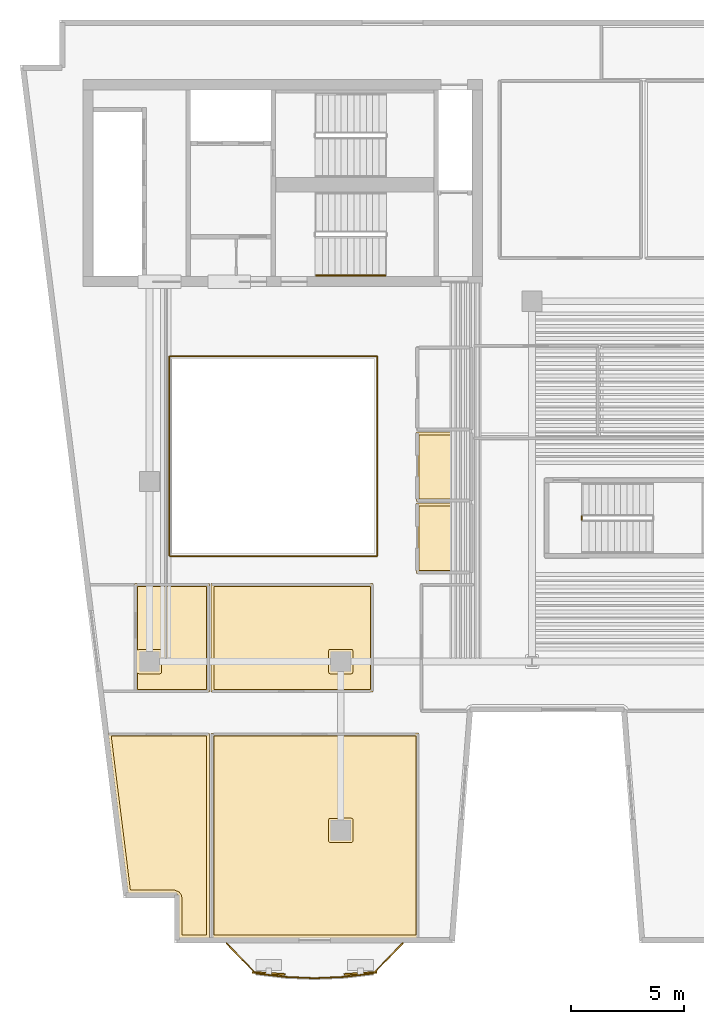
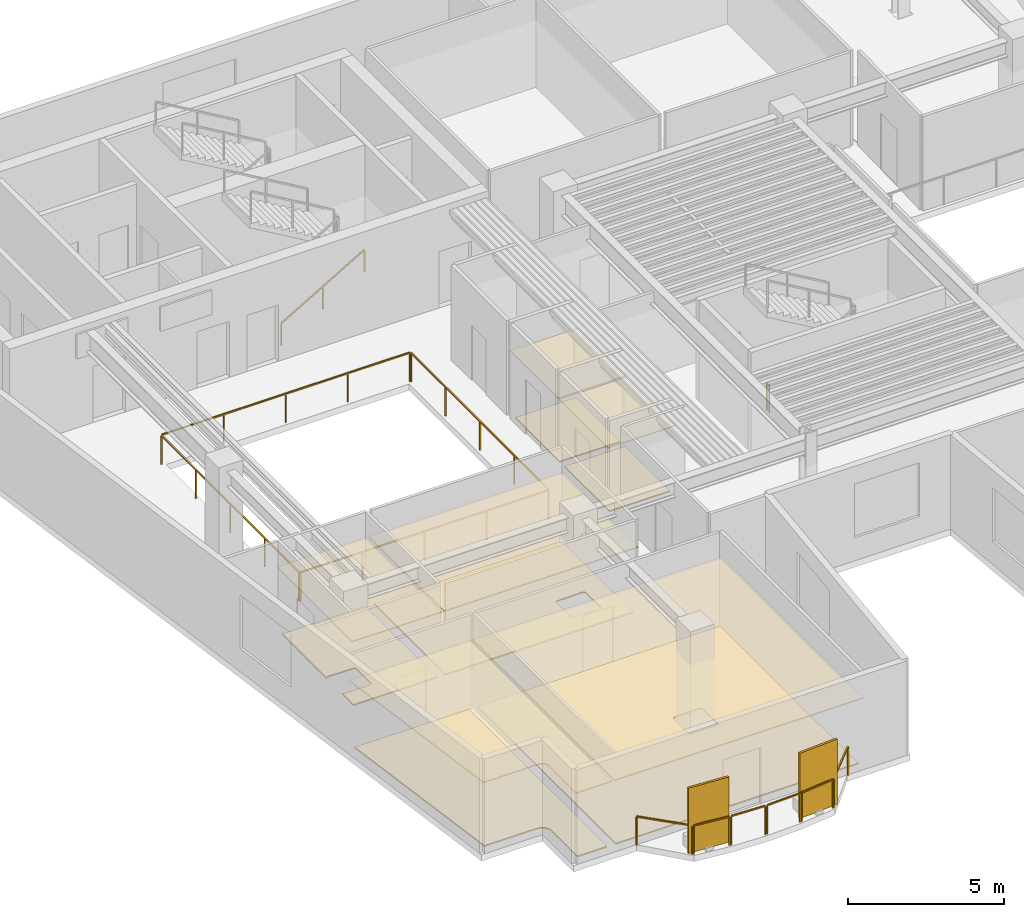
# One storey, part 7 of 9: 12 coverings, 12 railings, 2 shading devices.
"""IFC4 building model written with IfcOpenShell, lengths in metres."""

from ifc_helpers import new_model, si_unit, direction, frame, origin, origin_2d, place, context, subcontext, project, spatial, polyline, rectangle, outline, extrude, material, layer, layer_set, type_object, element, save


model = new_model("IFC4")

# Units and contexts
model_context = context("Model", 3, precision=1e-05, world=origin(), true_north=direction((0.0, 1.0)))
body_context = subcontext(model_context, "Body", "Model", "MODEL_VIEW")
ifc_project = project(units=[si_unit("LENGTHUNIT", "METRE"), si_unit("AREAUNIT", "SQUARE_METRE"), si_unit("VOLUMEUNIT", "CUBIC_METRE"), si_unit("PLANEANGLEUNIT", "RADIAN"), si_unit("MASSUNIT", "GRAM", prefix="KILO")], contexts=[model_context])

# Site, building, storey
site_placement = place(None, origin())
site = spatial("IfcSite", under=ifc_project, at=site_placement, CompositionType="ELEMENT")
building_placement = place(site_placement, origin())
building = spatial("IfcBuilding", under=site, at=building_placement, Name="Caeloran Harvest Quay", CompositionType="ELEMENT")
storey_placement = place(building_placement, frame((0.0, 0.0, 215.35009765625)))
storey = spatial("IfcBuildingStorey", under=building, at=storey_placement, Name="L51", CompositionType="ELEMENT", Elevation=215.35009765625)

# Coverings
ifc_material_1 = material(Name="Perforated Mineral-Fibre Acoustic Ceiling Tile", Category="ceiling")
ifc_layer_1 = layer(ifc_material_1, 0.0400390625, Name="Perforated Mineral-Fibre Acoustic Ceiling Tile")
ifc_layer_set_1 = layer_set([ifc_layer_1], Name="Perforated Mineral-Fibre Acoustic Ceiling Tile")
covering_type_1 = type_object("IfcCoveringType", Name="COV-CEILING-ACOUSTIC", PredefinedType="CEILING", material=ifc_layer_set_1)
covering_1_placement = place(storey_placement, frame((0.0, 0.0, 2.599853515625)))
element("IfcCovering", 1, at=covering_1_placement, inside=storey, type_object=covering_type_1, Name="L51 Female Washroom WC Acoustic Ceiling", PredefinedType="CEILING", context=body_context, shape_type="SweptSolid", body=[
    extrude(outline(polyline([(22.840087890625, 25.18994140625), (22.840087890625, 22.110107421875), (20.360107421875, 22.110107421875), (20.360107421875, 25.18994140625), (22.840087890625, 25.18994140625)])), origin(), (0.0, 0.0, 1.0), 0.0400390625),
])
covering_2_placement = place(storey_placement, frame((0.0, 0.0, 2.599853515625)))
element("IfcCovering", 2, at=covering_2_placement, inside=storey, type_object=covering_type_1, Name="L51 Accessible Unisex Washroom WC Acoustic Ceiling", PredefinedType="CEILING", context=body_context, shape_type="SweptSolid", body=[
    extrude(outline(polyline([(22.840087890625, 22.0400390625), (22.840087890625, 18.919921875), (20.360107421875, 18.919921875), (20.360107421875, 22.0400390625), (22.840087890625, 22.0400390625)])), origin(), (0.0, 0.0, 1.0), 0.0400390625),
])
covering_3_placement = place(storey_placement, frame((0.0, 0.0, 2.599853515625)))
element("IfcCovering", 3, at=covering_3_placement, inside=storey, type_object=covering_type_1, Name="Food-Security Culinary Kitchen Acoustic Ceiling", PredefinedType="CEILING", context=body_context, shape_type="SweptSolid", body=[
    extrude(outline(polyline([(11.239990234375, 11.81005859375), (20.31298828125, 11.81005859375), (20.320068359375, 11.830078125), (20.4599609375, 11.830078125), (20.4599609375, 2.719970703125), (11.239990234375, 2.719970703125), (11.239990234375, 11.81005859375)])), origin(), (0.0, 0.0, 1.0), 0.0400390625),
])
covering_4_placement = place(storey_placement, frame((0.0, 0.0, 2.599853515625)))
element("IfcCovering", 4, at=covering_4_placement, inside=storey, type_object=covering_type_1, Name="Policy Seminar Meeting Hall Acoustic Ceiling", PredefinedType="CEILING", context=body_context, shape_type="SweptSolid", body=[
    extrude(outline(polyline([(9.80615234375, 4.584228515625), (9.742431640625, 4.669921875), (9.62451171875, 4.718994140625), (7.54833984375, 4.719970703125), (6.666015625, 11.81005859375), (11.159912109375, 11.81005859375), (11.159912109375, 2.719970703125), (9.822998046875, 2.719970703125), (9.822998046875, 4.4990234375), (9.80615234375, 4.584228515625)])), origin(), (0.0, 0.0, 1.0), 0.0400390625),
])
covering_5_placement = place(storey_placement, frame((0.0, 0.0, 2.599853515625)))
element("IfcCovering", 5, at=covering_5_placement, inside=storey, type_object=covering_type_1, Name="Econometric Wet Laboratory Acoustic Ceiling", PredefinedType="CEILING", context=body_context, shape_type="SweptSolid", body=[
    extrude(outline(polyline([(7.840087890625, 13.639892578125), (7.840087890625, 18.4599609375), (11.159912109375, 18.4599609375), (11.159912109375, 13.639892578125), (7.840087890625, 13.639892578125)])), origin(), (0.0, 0.0, 1.0), 0.0400390625),
])
covering_6_placement = place(storey_placement, frame((0.0, 0.0, 2.599853515625)))
element("IfcCovering", 6, at=covering_6_placement, inside=storey, type_object=covering_type_1, Name="Fellows Tasting Kitchen Acoustic Ceiling", PredefinedType="CEILING", context=body_context, shape_type="SweptSolid", body=[
    extrude(outline(polyline([(18.429931640625, 13.639892578125), (11.239990234375, 13.639892578125), (11.239990234375, 18.4599609375), (18.429931640625, 18.4599609375), (18.429931640625, 13.639892578125)])), origin(), (0.0, 0.0, 1.0), 0.0400390625),
])
ifc_material_2 = material(Name="Calcium-Sulphate Raised Access Floor and Terrazzo Finish", Category="flooring")
ifc_layer_2 = layer(ifc_material_2, 0.050048828125, Name="Calcium-Sulphate Raised Access Floor and Terrazzo Finish")
ifc_layer_set_2 = layer_set([ifc_layer_2], Name="Calcium-Sulphate Raised Access Floor and Terrazzo Finish")
covering_type_2 = type_object("IfcCoveringType", Name="COV-FLOOR-RAISED", PredefinedType="FLOORING", material=ifc_layer_set_2)
covering_7_placement = place(storey_placement, origin())
element("IfcCovering", 7, at=covering_7_placement, inside=storey, type_object=covering_type_2, Name="L51 Female Washroom WC Raised Finish Flooring", PredefinedType="FLOORING", context=body_context, shape_type="SweptSolid", body=[
    extrude(outline(polyline([(22.719970703125, 25.070068359375), (22.719970703125, 22.22998046875), (20.47998046875, 22.22998046875), (20.47998046875, 25.070068359375), (22.719970703125, 25.070068359375)])), origin(), (0.0, 0.0, 1.0), 0.0498046875),
])
covering_8_placement = place(storey_placement, origin())
element("IfcCovering", 8, at=covering_8_placement, inside=storey, type_object=covering_type_2, Name="L51 Accessible Unisex Washroom WC Raised Finish Flooring", PredefinedType="FLOORING", context=body_context, shape_type="SweptSolid", body=[
    extrude(outline(polyline([(22.719970703125, 21.919921875), (22.719970703125, 19.0400390625), (20.47998046875, 19.0400390625), (20.47998046875, 21.919921875), (22.719970703125, 21.919921875)])), origin(), (0.0, 0.0, 1.0), 0.0498046875),
])
covering_9_placement = place(storey_placement, origin())
element("IfcCovering", 9, at=covering_9_placement, inside=storey, type_object=covering_type_2, Name="Food-Security Culinary Kitchen Raised Finish Flooring", PredefinedType="FLOORING", context=body_context, shape_type="SweptSolid", body=[
    extrude(outline(polyline([(11.360107421875, 2.840087890625), (11.360107421875, 11.68994140625), (20.340087890625, 11.69189453125), (20.340087890625, 2.840087890625), (11.360107421875, 2.840087890625)]), holes=[polyline([(17.465087890625, 8.044921875), (16.484130859375, 8.02685546875), (16.455322265625, 7.972900390625), (16.455078125, 7.034912109375), (16.478515625, 6.978515625), (16.534912109375, 6.955078125), (17.465087890625, 6.955078125), (17.521484375, 6.978515625), (17.544921875, 7.034912109375), (17.544921875, 7.965087890625), (17.521484375, 8.021484375), (17.465087890625, 8.044921875)])]), origin(), (0.0, 0.0, 1.0), 0.0498046875),
])
covering_10_placement = place(storey_placement, origin())
element("IfcCovering", 10, at=covering_10_placement, inside=storey, type_object=covering_type_2, Name="Policy Seminar Meeting Hall Raised Finish Flooring", PredefinedType="FLOORING", context=body_context, shape_type="SweptSolid", body=[
    extrude(outline(polyline([(9.91845703125, 4.62646484375), (9.815673828125, 4.76513671875), (9.63232421875, 4.838623046875), (7.654296875, 4.840087890625), (6.8017578125, 11.68994140625), (11.0400390625, 11.68994140625), (11.0400390625, 2.840087890625), (9.943115234375, 2.840087890625), (9.943115234375, 4.5), (9.91845703125, 4.62646484375)])), origin(), (0.0, 0.0, 1.0), 0.0498046875),
])
covering_11_placement = place(storey_placement, origin())
element("IfcCovering", 11, at=covering_11_placement, inside=storey, type_object=covering_type_2, Name="Econometric Wet Laboratory Raised Finish Flooring", PredefinedType="FLOORING", context=body_context, shape_type="SweptSolid", body=[
    extrude(outline(polyline([(7.9599609375, 14.50732421875), (8.027099609375, 14.455322265625), (8.965087890625, 14.455078125), (9.021484375, 14.478515625), (9.044921875, 14.534912109375), (9.044921875, 15.465087890625), (9.015869140625, 15.52685546875), (8.034912109375, 15.544921875), (7.9599609375, 15.49267578125), (7.9599609375, 18.340087890625), (11.0400390625, 18.340087890625), (11.0400390625, 13.760009765625), (7.9599609375, 13.760009765625), (7.9599609375, 14.50732421875)])), origin(), (0.0, 0.0, 1.0), 0.0498046875),
])
covering_12_placement = place(storey_placement, origin())
element("IfcCovering", 12, at=covering_12_placement, inside=storey, type_object=covering_type_2, Name="Fellows Tasting Kitchen Raised Finish Flooring", PredefinedType="FLOORING", context=body_context, shape_type="SweptSolid", body=[
    extrude(outline(polyline([(18.31005859375, 18.340087890625), (18.31005859375, 13.760009765625), (11.360107421875, 13.760009765625), (11.360107421875, 18.340087890625), (18.31005859375, 18.340087890625)]), holes=[polyline([(17.465087890625, 15.544921875), (16.484130859375, 15.52685546875), (16.455322265625, 15.472900390625), (16.455078125, 14.534912109375), (16.478515625, 14.478515625), (16.534912109375, 14.455078125), (17.465087890625, 14.455078125), (17.521484375, 14.478515625), (17.544921875, 14.534912109375), (17.544921875, 15.465087890625), (17.521484375, 15.521484375), (17.465087890625, 15.544921875)])]), origin(), (0.0, 0.0, 1.0), 0.0498046875),
])

# Railings
ifc_material_3 = material(Name="Powder-Coated Steel Post and Laminated Glass Guardrail", Category="steel")
ifc_layer_3 = layer(ifc_material_3, 0.06005859375, Name="Powder-Coated Steel Post and Laminated Glass Guardrail")
ifc_layer_set_3 = layer_set([ifc_layer_3], Name="Powder-Coated Steel Post and Laminated Glass Guardrail")
railing_type_1 = type_object("IfcRailingType", Name="GUARD-ATRIUM-1150", PredefinedType="GUARDRAIL", material=ifc_layer_set_3)
railing_1_placement = place(storey_placement, frame((9.412109375, 19.679931640625, 0.0)))
element("IfcRailing", 13, at=railing_1_placement, inside=storey, type_object=railing_type_1, Name="L51 Skylit Atrium Void Perimeter Guardrail Seg 1", PredefinedType="GUARDRAIL", context=body_context, shape_type="SweptSolid", body=[
    extrude(rectangle(XDim=0.048095703125, YDim=0.048095703125, at=origin_2d()), frame((0.0, 0.0, 1.1259765625), z_axis=(1.0, 0.0, 0.0), x_axis=(0.0, 1.0, 0.0)), (0.0, 0.0, 1.0), 9.17578125),
    extrude(rectangle(XDim=0.0419921875, YDim=0.0419921875, at=origin_2d()), origin(), (0.0, 0.0, 1.0), 1.101806640625),
    extrude(rectangle(XDim=0.0419921875, YDim=0.0419921875, at=origin_2d()), frame((2.2939453125, 0.0, 0.0)), (0.0, 0.0, 1.0), 1.101806640625),
    extrude(rectangle(XDim=0.0419921875, YDim=0.0419921875, at=origin_2d()), frame((4.587890625, 0.0, 0.0)), (0.0, 0.0, 1.0), 1.101806640625),
    extrude(rectangle(XDim=0.0419921875, YDim=0.0419921875, at=origin_2d()), frame((6.8818359375, 0.0, 0.0)), (0.0, 0.0, 1.0), 1.101806640625),
    extrude(rectangle(XDim=0.0419921875, YDim=0.0419921875, at=origin_2d()), frame((9.17578125, 0.0, 0.0)), (0.0, 0.0, 1.0), 1.101806640625),
])
railing_2_placement = place(storey_placement, frame((18.6201171875, 19.7119140625, 0.0)))
element("IfcRailing", 14, at=railing_2_placement, inside=storey, type_object=railing_type_1, Name="L51 Skylit Atrium Void Perimeter Guardrail Seg 2", PredefinedType="GUARDRAIL", context=body_context, shape_type="SweptSolid", body=[
    extrude(rectangle(XDim=0.048095703125, YDim=0.048095703125, at=origin_2d()), frame((0.0, 0.0, 1.1259765625), z_axis=(0.0, 1.0, 0.0), x_axis=(-1.0, 0.0, 0.0)), (0.0, 0.0, 1.0), 8.826171875),
    extrude(rectangle(XDim=0.0419921875, YDim=0.0419921875, at=origin_2d()), origin(), (0.0, 0.0, 1.0), 1.101806640625),
    extrude(rectangle(XDim=0.0419921875, YDim=0.0419921875, at=origin_2d()), frame((0.0, 2.20654296875, 0.0)), (0.0, 0.0, 1.0), 1.101806640625),
    extrude(rectangle(XDim=0.0419921875, YDim=0.0419921875, at=origin_2d()), frame((0.0, 4.4130859375, 0.0)), (0.0, 0.0, 1.0), 1.101806640625),
    extrude(rectangle(XDim=0.0419921875, YDim=0.0419921875, at=origin_2d()), frame((0.0, 6.61962890625, 0.0)), (0.0, 0.0, 1.0), 1.101806640625),
    extrude(rectangle(XDim=0.0419921875, YDim=0.0419921875, at=origin_2d()), frame((0.0, 8.826171875, 0.0)), (0.0, 0.0, 1.0), 1.101806640625),
])
railing_3_placement = place(storey_placement, frame((18.587890625, 28.570068359375, 0.0)))
element("IfcRailing", 15, at=railing_3_placement, inside=storey, type_object=railing_type_1, Name="L51 Skylit Atrium Void Perimeter Guardrail Seg 3", PredefinedType="GUARDRAIL", context=body_context, shape_type="SweptSolid", body=[
    extrude(rectangle(XDim=0.048095703125, YDim=0.048095703125, at=origin_2d()), frame((0.0, 0.0, 1.1259765625), z_axis=(-1.0, 0.0, 0.0), x_axis=(0.0, -1.0, 0.0)), (0.0, 0.0, 1.0), 9.17578125),
    extrude(rectangle(XDim=0.0419921875, YDim=0.0419921875, at=origin_2d()), origin(), (0.0, 0.0, 1.0), 1.101806640625),
    extrude(rectangle(XDim=0.0419921875, YDim=0.0419921875, at=origin_2d()), frame((-2.2939453125, 0.0, 0.0)), (0.0, 0.0, 1.0), 1.101806640625),
    extrude(rectangle(XDim=0.0419921875, YDim=0.0419921875, at=origin_2d()), frame((-4.587890625, 0.0, 0.0)), (0.0, 0.0, 1.0), 1.101806640625),
    extrude(rectangle(XDim=0.0419921875, YDim=0.0419921875, at=origin_2d()), frame((-6.8818359375, 0.0, 0.0)), (0.0, 0.0, 1.0), 1.101806640625),
    extrude(rectangle(XDim=0.0419921875, YDim=0.0419921875, at=origin_2d()), frame((-9.17578125, 0.0, 0.0)), (0.0, 0.0, 1.0), 1.101806640625),
])
railing_4_placement = place(storey_placement, frame((9.3798828125, 28.5380859375, 0.0)))
element("IfcRailing", 16, at=railing_4_placement, inside=storey, type_object=railing_type_1, Name="L51 Skylit Atrium Void Perimeter Guardrail Seg 4", PredefinedType="GUARDRAIL", context=body_context, shape_type="SweptSolid", body=[
    extrude(rectangle(XDim=0.048095703125, YDim=0.048095703125, at=origin_2d()), frame((0.0, 0.0, 1.1259765625), z_axis=(0.0, -1.0, 0.0), x_axis=(1.0, 0.0, 0.0)), (0.0, 0.0, 1.0), 8.826171875),
    extrude(rectangle(XDim=0.0419921875, YDim=0.0419921875, at=origin_2d()), origin(), (0.0, 0.0, 1.0), 1.101806640625),
    extrude(rectangle(XDim=0.0419921875, YDim=0.0419921875, at=origin_2d()), frame((0.0, -2.20654296875, 0.0)), (0.0, 0.0, 1.0), 1.101806640625),
    extrude(rectangle(XDim=0.0419921875, YDim=0.0419921875, at=origin_2d()), frame((0.0, -4.4130859375, 0.0)), (0.0, 0.0, 1.0), 1.101806640625),
    extrude(rectangle(XDim=0.0419921875, YDim=0.0419921875, at=origin_2d()), frame((0.0, -6.61962890625, 0.0)), (0.0, 0.0, 1.0), 1.101806640625),
    extrude(rectangle(XDim=0.0419921875, YDim=0.0419921875, at=origin_2d()), frame((0.0, -8.826171875, 0.0)), (0.0, 0.0, 1.0), 1.101806640625),
])
ifc_material_4 = material(Name="Laminated Safety Glass and Stainless Steel 316", Category="steel")
ifc_layer_4 = layer(ifc_material_4, 0.06005859375, Name="Laminated Safety Glass and Stainless Steel 316")
ifc_layer_set_4 = layer_set([ifc_layer_4], Name="Laminated Safety Glass and Stainless Steel 316")
railing_type_2 = type_object("IfcRailingType", Name="GUARD-BALUSTRADE-1150", PredefinedType="BALUSTRADE", material=ifc_layer_set_4)
railing_5_placement = place(storey_placement, frame((19.74609375, 2.47998046875, 0.0)))
element("IfcRailing", 17, at=railing_5_placement, inside=storey, type_object=railing_type_2, Name="L51 Planted Balcony Perimeter Balustrade Guard Seg 1", PredefinedType="BALUSTRADE", context=body_context, shape_type="SweptSolid", body=[
    extrude(rectangle(XDim=0.048095703125, YDim=0.048095703125, at=origin_2d()), frame((0.0, 0.0, 1.1259765625), z_axis=(-0.697474864034, -0.716609247806, 0.0), x_axis=(0.716609247806, -0.697474864034, 0.0)), (0.0, 0.0, 1.0), 1.83740234375),
    extrude(rectangle(XDim=0.0419921875, YDim=0.0419921875, at=origin_2d()), origin(), (0.0, 0.0, 1.0), 1.101806640625),
    extrude(rectangle(XDim=0.0419921875, YDim=0.0419921875, at=origin_2d()), frame((-1.281494140625, -1.316650390625, 0.0)), (0.0, 0.0, 1.0), 1.101806640625),
])
railing_6_placement = place(storey_placement, frame((18.410400390625, 1.13671875, 0.0)))
element("IfcRailing", 18, at=railing_6_placement, inside=storey, type_object=railing_type_2, Name="L51 Planted Balcony Perimeter Balustrade Guard Seg 2", PredefinedType="BALUSTRADE", context=body_context, shape_type="SweptSolid", body=[
    extrude(rectangle(XDim=0.048095703125, YDim=0.048095703125, at=origin_2d()), frame((0.0, 0.0, 1.1259765625), z_axis=(-0.993142595144, -0.116909305491, 0.0), x_axis=(0.116909305491, -0.993142595144, 0.0)), (0.0, 0.0, 1.0), 1.248779296875),
    extrude(rectangle(XDim=0.0419921875, YDim=0.0419921875, at=origin_2d()), origin(), (0.0, 0.0, 1.0), 1.101806640625),
    extrude(rectangle(XDim=0.0419921875, YDim=0.0419921875, at=origin_2d()), frame((-1.240234375, -0.14599609375, 0.0)), (0.0, 0.0, 1.0), 1.101806640625),
])
railing_7_placement = place(storey_placement, frame((17.106201171875, 0.985595703125, 0.0)))
element("IfcRailing", 19, at=railing_7_placement, inside=storey, type_object=railing_type_2, Name="L51 Planted Balcony Perimeter Balustrade Guard Seg 3", PredefinedType="BALUSTRADE", context=body_context, shape_type="SweptSolid", body=[
    extrude(rectangle(XDim=0.048095703125, YDim=0.048095703125, at=origin_2d()), frame((0.0, 0.0, 1.1259765625), z_axis=(-0.99907976701, -0.042890781648, 0.0), x_axis=(0.042890781648, -0.99907976701, 0.0)), (0.0, 0.0, 1.0), 1.240966796875),
    extrude(rectangle(XDim=0.0419921875, YDim=0.0419921875, at=origin_2d()), origin(), (0.0, 0.0, 1.0), 1.101806640625),
    extrude(rectangle(XDim=0.0419921875, YDim=0.0419921875, at=origin_2d()), frame((-1.23974609375, -0.05322265625, 0.0)), (0.0, 0.0, 1.0), 1.101806640625),
])
railing_8_placement = place(storey_placement, frame((15.802490234375, 0.932373046875, 0.0)))
element("IfcRailing", 20, at=railing_8_placement, inside=storey, type_object=railing_type_2, Name="L51 Planted Balcony Perimeter Balustrade Guard Seg 4", PredefinedType="BALUSTRADE", context=body_context, shape_type="SweptSolid", body=[
    extrude(rectangle(XDim=0.048095703125, YDim=0.048095703125, at=origin_2d()), frame((0.0, 0.0, 1.1259765625), z_axis=(-0.99907976701, 0.042890781648, 0.0), x_axis=(-0.042890781648, -0.99907976701, 0.0)), (0.0, 0.0, 1.0), 1.240966796875),
    extrude(rectangle(XDim=0.0419921875, YDim=0.0419921875, at=origin_2d()), origin(), (0.0, 0.0, 1.0), 1.101806640625),
    extrude(rectangle(XDim=0.0419921875, YDim=0.0419921875, at=origin_2d()), frame((-1.23974609375, 0.05322265625, 0.0)), (0.0, 0.0, 1.0), 1.101806640625),
])
railing_9_placement = place(storey_placement, frame((14.498779296875, 0.99072265625, 0.0)))
element("IfcRailing", 21, at=railing_9_placement, inside=storey, type_object=railing_type_2, Name="L51 Planted Balcony Perimeter Balustrade Guard Seg 5", PredefinedType="BALUSTRADE", context=body_context, shape_type="SweptSolid", body=[
    extrude(rectangle(XDim=0.048095703125, YDim=0.048095703125, at=origin_2d()), frame((0.0, 0.0, 1.1259765625), z_axis=(-0.993142595144, 0.116909305491, 0.0), x_axis=(-0.116909305491, -0.993142595144, 0.0)), (0.0, 0.0, 1.0), 1.248779296875),
    extrude(rectangle(XDim=0.0419921875, YDim=0.0419921875, at=origin_2d()), origin(), (0.0, 0.0, 1.0), 1.101806640625),
    extrude(rectangle(XDim=0.0419921875, YDim=0.0419921875, at=origin_2d()), frame((-1.240234375, 0.14599609375, 0.0)), (0.0, 0.0, 1.0), 1.101806640625),
])
railing_10_placement = place(storey_placement, frame((13.20458984375, 1.163330078125, 0.0)))
element("IfcRailing", 22, at=railing_10_placement, inside=storey, type_object=railing_type_2, Name="L51 Planted Balcony Perimeter Balustrade Guard Seg 6", PredefinedType="BALUSTRADE", context=body_context, shape_type="SweptSolid", body=[
    extrude(rectangle(XDim=0.048095703125, YDim=0.048095703125, at=origin_2d()), frame((0.0, 0.0, 1.1259765625), z_axis=(-0.697474864034, 0.716609247806, 0.0), x_axis=(-0.716609247806, -0.697474864034, 0.0)), (0.0, 0.0, 1.0), 1.83740234375),
    extrude(rectangle(XDim=0.0419921875, YDim=0.0419921875, at=origin_2d()), origin(), (0.0, 0.0, 1.0), 1.101806640625),
    extrude(rectangle(XDim=0.0419921875, YDim=0.0419921875, at=origin_2d()), frame((-1.281494140625, 1.316650390625, 0.0)), (0.0, 0.0, 1.0), 1.101806640625),
])

# Shading devices
ifc_material_5 = material(Name="3003-H14 Perforated Powder-Coated Aluminium", Category="aluminium")
shading_device_type = type_object("IfcShadingDeviceType", Name="SHADE-SCREEN-FOLDED", PredefinedType="USERDEFINED", material=ifc_material_5)
for number, where, z_axis, x_axis, name in (
    (23, (17.868408203125, 1.144775390625, 0.07470703125), (0.0, 0.0, 1.0), (0.997801468292, 0.0662739004, 0.0), "L51 Folded Facade Breathing Screen 1"),
    (24, (13.800537109375, 1.144775390625, 0.07470703125), (0.0, 0.0, 1.0), (0.997801468292, -0.0662739004, 0.0), "L51 Folded Facade Breathing Screen 2"),
):
    element("IfcShadingDevice", number, at=place(storey_placement, frame(where, z_axis=z_axis, x_axis=x_axis)), inside=storey, type_object=shading_device_type, Name=name, ObjectType="SCREEN", PredefinedType="USERDEFINED", context=body_context, shape_type="SweptSolid", body=[
        extrude(rectangle(XDim=1.449951171875, YDim=0.080078125, at=origin_2d()), origin(), (0.0, 0.0, 1.0), 2.550048828125),
    ])

# Railings
ifc_material_6 = material(Name="Painted Steel Baluster and Top-Rail Stair Guard", Category="steel")
ifc_layer_5 = layer(ifc_material_6, 0.050048828125, Name="Painted Steel Baluster and Top-Rail Stair Guard")
ifc_layer_set_5 = layer_set([ifc_layer_5], Name="Painted Steel Baluster and Top-Rail Stair Guard")
railing_type_3 = type_object("IfcRailingType", Name="STAIR-GUARD-1100", PredefinedType="GUARDRAIL", material=ifc_layer_set_5)
railing_11_placement = place(storey_placement, frame((27.699951171875, 21.300048828125, 0.0)))
element("IfcRailing", 25, at=railing_11_placement, inside=storey, type_object=railing_type_3, Name="L51 ST-W1 stair guard 4", PredefinedType="GUARDRAIL", context=body_context, shape_type="SweptSolid", body=[
    extrude(rectangle(XDim=0.048095703125, YDim=0.048095703125, at=origin_2d()), frame((0.0, 0.0, 1.076171875), z_axis=(0.0, 1.0, 0.0), x_axis=(-1.0, 0.0, 0.0)), (0.0, 0.0, 1.0), 0.14990234375),
    extrude(rectangle(XDim=0.0419921875, YDim=0.0419921875, at=origin_2d()), origin(), (0.0, 0.0, 1.0), 1.052001953125),
    extrude(rectangle(XDim=0.0419921875, YDim=0.0419921875, at=origin_2d()), frame((0.0, 0.14990234375, 0.0)), (0.0, 0.0, 1.0), 1.052001953125),
])
ifc_material_7 = material(Name="Brushed Stainless Steel Grade 304", Category="steel")
ifc_layer_6 = layer(ifc_material_7, 0.050048828125, Name="Brushed Stainless Steel Grade 304")
ifc_layer_set_6 = layer_set([ifc_layer_6], Name="Brushed Stainless Steel Grade 304")
railing_type_4 = type_object("IfcRailingType", Name="STAIR-HANDRAIL-900", PredefinedType="HANDRAIL", material=ifc_layer_set_6)
railing_12_placement = place(storey_placement, frame((15.89990234375, 32.14990234375, 0.16455078125)))
element("IfcRailing", 26, at=railing_12_placement, inside=storey, type_object=railing_type_4, Name="L51 ST-C2 stair handrail 1", PredefinedType="HANDRAIL", context=body_context, shape_type="SweptSolid", body=[
    extrude(rectangle(XDim=0.048095703125, YDim=0.048095703125, at=origin_2d()), frame((0.0, 0.0, 0.8759765625), z_axis=(0.862118610829, 0.0, 0.506706523406), x_axis=(0.0, 1.0, 0.0)), (0.0, 0.0, 1.0), 3.57275390625),
    extrude(rectangle(XDim=0.0419921875, YDim=0.0419921875, at=origin_2d()), origin(), (0.0, 0.0, 1.0), 0.851806640625),
    extrude(rectangle(XDim=0.0419921875, YDim=0.0419921875, at=origin_2d()), frame((1.5400390625, 0.0, 0.9052734375)), (0.0, 0.0, 1.0), 0.851806640625),
    extrude(rectangle(XDim=0.0419921875, YDim=0.0419921875, at=origin_2d()), frame((3.080078125, 0.0, 1.810302734375)), (0.0, 0.0, 1.0), 0.851806640625),
])

save(model, "model.ifc")
